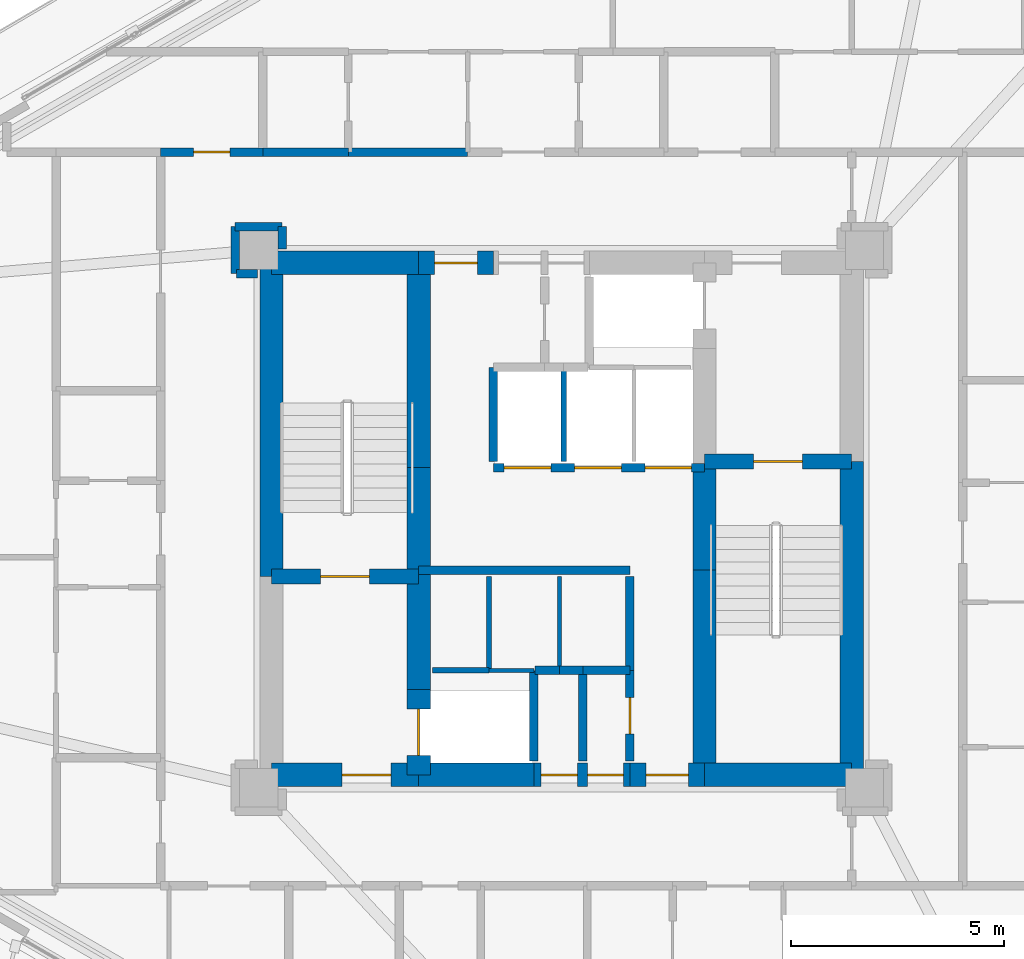
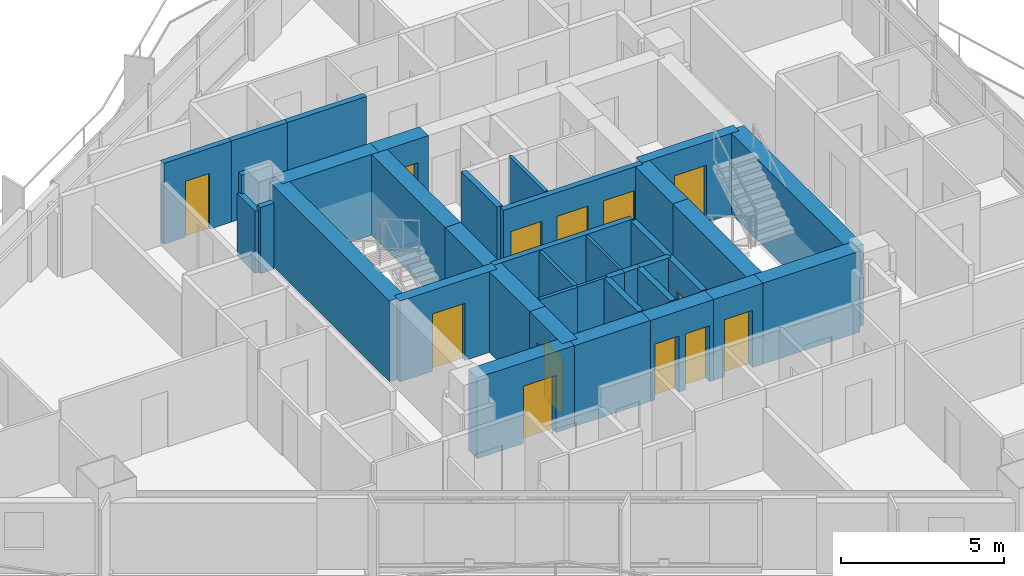
# One storey, part 14 of 19: 39 walls, 13 doors, 13 openings.
"""IFC4 building model written with IfcOpenShell, lengths in metres."""

from ifc_helpers import new_model, si_unit, direction, frame, frame_2d, origin, place, context, subcontext, project, spatial, rectangle, extrude, material, layer, layer_set, type_object, element, fill, save


model = new_model("IFC4")

# Units and contexts
model_context = context("Model", 3, precision=1e-05, world=origin(), true_north=direction((0.0, 1.0)))
body_context = subcontext(model_context, "Body", "Model", "MODEL_VIEW")
ifc_project = project(units=[si_unit("LENGTHUNIT", "METRE"), si_unit("AREAUNIT", "SQUARE_METRE"), si_unit("VOLUMEUNIT", "CUBIC_METRE"), si_unit("PLANEANGLEUNIT", "RADIAN"), si_unit("MASSUNIT", "GRAM", prefix="KILO")], contexts=[model_context])

# Site, building, storey
site_placement = place(None, origin())
site = spatial("IfcSite", under=ifc_project, at=site_placement, CompositionType="ELEMENT")
building_placement = place(site_placement, origin())
building = spatial("IfcBuilding", under=site, at=building_placement, Name="Mersakhor Tower and Convention Hall", CompositionType="ELEMENT")
storey_placement = place(building_placement, frame((0.0, 0.0, 25.800048828125)))
storey = spatial("IfcBuildingStorey", under=building, at=storey_placement, Name="L06", CompositionType="ELEMENT", Elevation=25.800048828125)

# Walls
ifc_material_1 = material(Name="Lightweight gypsum partition", Category="other")
ifc_layer_1 = layer(ifc_material_1, 0.10009765625)
ifc_layer_set_1 = layer_set([ifc_layer_1], Name="Lightweight gypsum partition")
wall_type_1 = type_object("IfcWallType", Name="WL-PRT-100", PredefinedType="PARTITIONING", material=ifc_layer_set_1)
wall_1_placement = place(storey_placement, frame((27.300048828125, 23.199951171875, 0.0), z_axis=(0.0, 0.0, 1.0), x_axis=(1.0, 0.0, 0.0)))
element("IfcWall", 1, at=wall_1_placement, inside=storey, type_object=wall_type_1, Name="L06 Interior Partition Wall P-002", PredefinedType="PARTITIONING", context=body_context, shape_type="SweptSolid", body=[
    extrude(rectangle(XDim=1.050048828125, YDim=0.10009765625, at=frame_2d((0.52490234375, 0.0))), origin(), (0.0, 0.0, 1.0), 3.0400390625),
])
wall_2_placement = place(storey_placement, frame((28.949951171875, 25.39990234375, 0.0), z_axis=(0.0, 0.0, 1.0), x_axis=(0.0, -1.0, 0.0)))
element("IfcWall", 2, at=wall_2_placement, inside=storey, type_object=wall_type_1, Name="L06 Interior Partition Wall P-008", PredefinedType="PARTITIONING", context=body_context, shape_type="SweptSolid", body=[
    extrude(rectangle(XDim=2.199951171875, YDim=0.10009765625, at=frame_2d((1.10009765625, 0.0))), origin(), (0.0, 0.0, 1.0), 3.0400390625),
])
ifc_material_2 = material(Name="Gypsum board acoustic partition", Category="other")
ifc_layer_2 = layer(ifc_material_2, 0.125)
ifc_layer_set_2 = layer_set([ifc_layer_2], Name="Gypsum board acoustic partition")
wall_type_2 = type_object("IfcWallType", Name="WL-PRT-125", PredefinedType="PARTITIONING", material=ifc_layer_set_2)
wall_3_placement = place(storey_placement, frame((25.97509765625, 23.199951171875, 0.0), z_axis=(0.0, 0.0, 1.0), x_axis=(1.0, 0.0, 0.0)))
element("IfcWall", 3, at=wall_3_placement, inside=storey, type_object=wall_type_2, Name="L06 Interior Partition Wall P-001", PredefinedType="PARTITIONING", context=body_context, shape_type="SweptSolid", body=[
    extrude(rectangle(XDim=1.324951171875, YDim=0.125, at=frame_2d((0.66259765625, 0.0))), origin(), (0.0, 0.0, 1.0), 3.0400390625),
])
for number, where, z_axis, x_axis, name in (
    (4, (27.300048828125, 25.39990234375, 0.0), (0.0, 0.0, 1.0), (0.0, -1.0, 0.0), "L06 Interior Partition Wall P-007"),
    (5, (29.050048828125, 30.300048828125, 0.0), (0.0, 0.0, 1.0), (0.0, -1.0, 0.0), "L06 Interior Partition Wall P-015"),
):
    element("IfcWall", number, at=place(storey_placement, frame(where, z_axis=z_axis, x_axis=x_axis)), inside=storey, type_object=wall_type_2, Name=name, PredefinedType="PARTITIONING", context=body_context, shape_type="SweptSolid", body=[
        extrude(rectangle(XDim=2.199951171875, YDim=0.125, at=frame_2d((1.10009765625, 0.0))), origin(), (0.0, 0.0, 1.0), 3.0400390625),
    ])
ifc_material_3 = material(Name="Acoustic concrete blockwork and gypsum board", Category="masonry")
ifc_layer_3 = layer(ifc_material_3, 0.199951171875)
ifc_layer_set_3 = layer_set([ifc_layer_3], Name="Acoustic concrete blockwork and gypsum board")
wall_type_3 = type_object("IfcWallType", Name="WL-PRT-200", PredefinedType="PARTITIONING", material=ifc_layer_set_3)
wall_4_placement = place(storey_placement, frame((25.64990234375, 25.550048828125, 0.0), z_axis=(0.0, 0.0, 1.0), x_axis=(1.0, 0.0, 0.0)))
element("IfcWall", 6, at=wall_4_placement, inside=storey, type_object=wall_type_3, Name="L06 High-Rise Lift Bank Front Wall", PredefinedType="PARTITIONING", context=body_context, shape_type="SweptSolid", body=[
    extrude(rectangle(XDim=4.9501953125, YDim=0.199951171875, at=frame_2d((2.47509765625, 0.0))), origin(), (0.0, 0.0, 1.0), 3.0400390625),
])

# Wall, openings, doors
wall_5_placement = place(storey_placement, frame((27.39990234375, 27.949951171875, 0.0), z_axis=(0.0, 0.0, 1.0), x_axis=(1.0, 0.0, 0.0)))
wall_5 = element("IfcWall", 7, at=wall_5_placement, inside=storey, type_object=wall_type_3, Name="L06 Low-Rise Lift Bank Front Wall", PredefinedType="PARTITIONING", context=body_context, shape_type="SweptSolid", body=[
    extrude(rectangle(XDim=4.9501953125, YDim=0.199951171875, at=frame_2d((2.47509765625, 0.0))), origin(), (0.0, 0.0, 1.0), 3.0400390625),
])
opening_1_placement = place(wall_5_placement, frame((0.25, 0.0, 0.0)))
opening_1 = element("IfcOpeningElement", 8, at=opening_1_placement, cuts=wall_5, Name="Opening LD-P1", PredefinedType="OPENING", context=body_context, shape_type="SweptSolid", body=[
    extrude(rectangle(XDim=1.10009765625, YDim=2.14990234375, at=frame_2d((0.550048828125, 1.074951171875))), frame((0.0, 0.10986328125, 0.0), z_axis=(0.0, -1.0, 0.0), x_axis=(1.0, 0.0, 0.0)), (0.0, 0.0, 1.0), 0.219970703125),
])
opening_2_placement = place(wall_5_placement, frame((1.89990234375, 0.0, 0.0)))
opening_2 = element("IfcOpeningElement", 9, at=opening_2_placement, cuts=wall_5, Name="Opening LD-P2", PredefinedType="OPENING", context=body_context, shape_type="SweptSolid", body=[
    extrude(rectangle(XDim=1.10009765625, YDim=2.14990234375, at=frame_2d((0.550048828125, 1.074951171875))), frame((0.0, 0.10986328125, 0.0), z_axis=(0.0, -1.0, 0.0), x_axis=(1.0, 0.0, 0.0)), (0.0, 0.0, 1.0), 0.219970703125),
])
opening_3_placement = place(wall_5_placement, frame((3.550048828125, 0.0, 0.0)))
opening_3 = element("IfcOpeningElement", 10, at=opening_3_placement, cuts=wall_5, Name="Opening LD-P3", PredefinedType="OPENING", context=body_context, shape_type="SweptSolid", body=[
    extrude(rectangle(XDim=1.10009765625, YDim=2.14990234375, at=frame_2d((0.550048828125, 1.074951171875))), frame((0.0, 0.10986328125, 0.0), z_axis=(0.0, -1.0, 0.0), x_axis=(1.0, 0.0, 0.0)), (0.0, 0.0, 1.0), 0.219970703125),
])
ifc_material_4 = material(Name="Fire-rated brushed stainless steel sliding landing door", Category="steel")
door_type_1 = type_object("IfcDoorType", Name="DR-LIFT-SLD-110x215", OperationType="NOTDEFINED", PredefinedType="DOOR", material=ifc_material_4)
door_1_placement = place(opening_1_placement, origin())
door_1 = element("IfcDoor", 11, at=door_1_placement, inside=storey, type_object=door_type_1, Name="L06 Lift Landing Door LD-P1", OperationType="SLIDING_TO_LEFT", OverallHeight=2.14990234375, OverallWidth=1.10009765625, PredefinedType="DOOR", context=body_context, shape_type="SweptSolid", body=[
    extrude(rectangle(XDim=1.10009765625, YDim=2.14990234375, at=frame_2d((0.550048828125, 1.074951171875))), frame((0.0, 0.02490234375, 0.0), z_axis=(0.0, -1.0, 0.0), x_axis=(1.0, 0.0, 0.0)), (0.0, 0.0, 1.0), 0.050048828125),
])
fill(opening_1, door_1)
door_2_placement = place(opening_2_placement, origin())
door_2 = element("IfcDoor", 12, at=door_2_placement, inside=storey, type_object=door_type_1, Name="L06 Lift Landing Door LD-P2", OperationType="SLIDING_TO_LEFT", OverallHeight=2.14990234375, OverallWidth=1.10009765625, PredefinedType="DOOR", context=body_context, shape_type="SweptSolid", body=[
    extrude(rectangle(XDim=1.10009765625, YDim=2.14990234375, at=frame_2d((0.550048828125, 1.074951171875))), frame((0.0, 0.02490234375, 0.0), z_axis=(0.0, -1.0, 0.0), x_axis=(1.0, 0.0, 0.0)), (0.0, 0.0, 1.0), 0.050048828125),
])
fill(opening_2, door_2)
door_3_placement = place(opening_3_placement, origin())
door_3 = element("IfcDoor", 13, at=door_3_placement, inside=storey, type_object=door_type_1, Name="L06 Lift Landing Door LD-P3", OperationType="SLIDING_TO_LEFT", OverallHeight=2.14990234375, OverallWidth=1.10009765625, PredefinedType="DOOR", context=body_context, shape_type="SweptSolid", body=[
    extrude(rectangle(XDim=1.10009765625, YDim=2.14990234375, at=frame_2d((0.550048828125, 1.074951171875))), frame((0.0, 0.02490234375, 0.0), z_axis=(0.0, -1.0, 0.0), x_axis=(1.0, 0.0, 0.0)), (0.0, 0.0, 1.0), 0.050048828125),
])
fill(opening_3, door_3)

# Walls
wall_6_placement = place(storey_placement, frame((28.35009765625, 23.199951171875, 0.0), z_axis=(0.0, 0.0, 1.0), x_axis=(0.0, -1.0, 0.0)))
element("IfcWall", 14, at=wall_6_placement, inside=storey, type_object=wall_type_3, Name="L06 Interior Partition Wall P-003", PredefinedType="PARTITIONING", context=body_context, shape_type="SweptSolid", body=[
    extrude(rectangle(XDim=2.125, YDim=0.199951171875, at=frame_2d((1.0625, 0.0))), origin(), (0.0, 0.0, 1.0), 3.0400390625),
])
wall_7_placement = place(storey_placement, frame((28.949951171875, 23.199951171875, 0.0), z_axis=(0.0, 0.0, 1.0), x_axis=(-1.0, 0.0, 0.0)))
element("IfcWall", 15, at=wall_7_placement, inside=storey, type_object=wall_type_3, Name="L06 Interior Partition Wall P-009", PredefinedType="PARTITIONING", context=body_context, shape_type="SweptSolid", body=[
    extrude(rectangle(XDim=0.570068359375, YDim=0.199951171875, at=frame_2d((0.28515625, 0.0))), origin(), (0.0, 0.0, 1.0), 3.0400390625),
])
wall_8_placement = place(storey_placement, frame((30.60009765625, 25.39990234375, 0.0), z_axis=(0.0, 0.0, 1.0), x_axis=(0.0, -1.0, 0.0)))
element("IfcWall", 16, at=wall_8_placement, inside=storey, type_object=wall_type_3, Name="L06 Interior Partition Wall P-010", PredefinedType="PARTITIONING", context=body_context, shape_type="SweptSolid", body=[
    extrude(rectangle(XDim=2.199951171875, YDim=0.199951171875, at=frame_2d((1.10009765625, 0.0))), origin(), (0.0, 0.0, 1.0), 3.0400390625),
])
wall_9_placement = place(storey_placement, frame((30.60009765625, 23.199951171875, 0.0), z_axis=(0.0, 0.0, 1.0), x_axis=(-1.0, 0.0, 0.0)))
element("IfcWall", 17, at=wall_9_placement, inside=storey, type_object=wall_type_3, Name="L06 Interior Partition Wall P-011", PredefinedType="PARTITIONING", context=body_context, shape_type="SweptSolid", body=[
    extrude(rectangle(XDim=1.10009765625, YDim=0.199951171875, at=frame_2d((0.550048828125, 0.0))), origin(), (0.0, 0.0, 1.0), 3.0400390625),
])
wall_10_placement = place(storey_placement, frame((29.5, 23.199951171875, 0.0), z_axis=(0.0, 0.0, 1.0), x_axis=(-1.0, 0.0, 0.0)))
element("IfcWall", 18, at=wall_10_placement, inside=storey, type_object=wall_type_3, Name="L06 Interior Partition Wall P-012", PredefinedType="PARTITIONING", context=body_context, shape_type="SweptSolid", body=[
    extrude(rectangle(XDim=0.550048828125, YDim=0.199951171875, at=frame_2d((0.27490234375, 0.0))), origin(), (0.0, 0.0, 1.0), 3.0400390625),
])
wall_11_placement = place(storey_placement, frame((27.39990234375, 28.10009765625, 0.0), z_axis=(0.0, 0.0, 1.0), x_axis=(0.0, 1.0, 0.0)))
element("IfcWall", 19, at=wall_11_placement, inside=storey, type_object=wall_type_3, Name="L06 Interior Partition Wall P-016", PredefinedType="PARTITIONING", context=body_context, shape_type="SweptSolid", body=[
    extrude(rectangle(XDim=2.199951171875, YDim=0.199951171875, at=frame_2d((1.10009765625, 0.0))), origin(), (0.0, 0.0, 1.0), 3.0400390625),
])

# Wall, opening, door
wall_12_placement = place(storey_placement, frame((30.60009765625, 21.074951171875, 0.0), z_axis=(0.0, 0.0, 1.0), x_axis=(0.0, 1.0, 0.0)))
wall_12 = element("IfcWall", 20, at=wall_12_placement, inside=storey, type_object=wall_type_3, Name="L06 Interior Partition Wall P-019", PredefinedType="PARTITIONING", context=body_context, shape_type="SweptSolid", body=[
    extrude(rectangle(XDim=2.125, YDim=0.199951171875, at=frame_2d((1.0625, 0.0))), origin(), (0.0, 0.0, 1.0), 3.0400390625),
])
opening_4_placement = place(wall_12_placement, frame((0.637451171875, 0.0, 0.0)))
opening_4 = element("IfcOpeningElement", 21, at=opening_4_placement, cuts=wall_12, Name="Opening SVD-01", PredefinedType="OPENING", context=body_context, shape_type="SweptSolid", body=[
    extrude(rectangle(XDim=0.85009765625, YDim=2.10009765625, at=frame_2d((0.425048828125, 1.050048828125))), frame((0.0, 0.10986328125, 0.0), z_axis=(0.0, -1.0, 0.0), x_axis=(1.0, 0.0, 0.0)), (0.0, 0.0, 1.0), 0.219970703125),
])
ifc_material_5 = material(Name="Fire-rated hardwood leaf and painted steel frame", Category="steel")
door_type_2 = type_object("IfcDoorType", Name="DR-INT-SVC-085x210", OperationType="NOTDEFINED", PredefinedType="DOOR", material=ifc_material_5)
door_4_placement = place(opening_4_placement, origin())
door_4 = element("IfcDoor", 22, at=door_4_placement, inside=storey, type_object=door_type_2, Name="L06 Central Passenger Lift Lobby to Refuse and Recycling Room Door", OperationType="SINGLE_SWING_LEFT", OverallHeight=2.10009765625, OverallWidth=0.85009765625, PredefinedType="DOOR", context=body_context, shape_type="SweptSolid", body=[
    extrude(rectangle(XDim=0.85009765625, YDim=2.10009765625, at=frame_2d((0.425048828125, 1.050048828125))), frame((0.0, 0.02490234375, 0.0), z_axis=(0.0, -1.0, 0.0), x_axis=(1.0, 0.0, 0.0)), (0.0, 0.0, 1.0), 0.050048828125),
])
fill(opening_4, door_4)

wall_13_placement = place(storey_placement, frame((19.60009765625, 35.35009765625, 0.0), z_axis=(0.0, 0.0, 1.0), x_axis=(1.0, 0.0, 0.0)))
wall_13 = element("IfcWall", 23, at=wall_13_placement, inside=storey, type_object=wall_type_3, Name="L06 Interior Partition Wall P-039", PredefinedType="PARTITIONING", context=body_context, shape_type="SweptSolid", body=[
    extrude(rectangle(XDim=2.39990234375, YDim=0.199951171875, at=frame_2d((1.199951171875, 0.0))), origin(), (0.0, 0.0, 1.0), 3.0400390625),
])
opening_5_placement = place(wall_13_placement, frame((0.77490234375, 0.0, 0.0)))
opening_5 = element("IfcOpeningElement", 24, at=opening_5_placement, cuts=wall_13, Name="Opening SVD-01", PredefinedType="OPENING", context=body_context, shape_type="SweptSolid", body=[
    extrude(rectangle(XDim=0.85009765625, YDim=2.10009765625, at=frame_2d((0.425048828125, 1.050048828125))), frame((0.0, 0.10986328125, 0.0), z_axis=(0.0, -1.0, 0.0), x_axis=(1.0, 0.0, 0.0)), (0.0, 0.0, 1.0), 0.219970703125),
])
door_5_placement = place(opening_5_placement, origin())
door_5 = element("IfcDoor", 25, at=door_5_placement, inside=storey, type_object=door_type_2, Name="L06 Residential Ring Corridor to L06 North-West Household Store Room Door", OperationType="SINGLE_SWING_LEFT", OverallHeight=2.10009765625, OverallWidth=0.85009765625, PredefinedType="DOOR", context=body_context, shape_type="SweptSolid", body=[
    extrude(rectangle(XDim=0.85009765625, YDim=2.10009765625, at=frame_2d((0.425048828125, 1.050048828125))), frame((0.0, 0.02490234375, 0.0), z_axis=(0.0, -1.0, 0.0), x_axis=(1.0, 0.0, 0.0)), (0.0, 0.0, 1.0), 0.050048828125),
])
fill(opening_5, door_5)

# Walls
wall_14_placement = place(storey_placement, frame((22.0, 35.35009765625, 0.0), z_axis=(0.0, 0.0, 1.0), x_axis=(1.0, 0.0, 0.0)))
element("IfcWall", 26, at=wall_14_placement, inside=storey, type_object=wall_type_3, Name="L06 Interior Partition Wall P-040", PredefinedType="PARTITIONING", context=body_context, shape_type="SweptSolid", body=[
    extrude(rectangle(XDim=2.0, YDim=0.199951171875, at=frame_2d((1.0, 0.0))), origin(), (0.0, 0.0, 1.0), 3.0400390625),
])
wall_15_placement = place(storey_placement, frame((24.0, 35.35009765625, 0.0), z_axis=(0.0, 0.0, 1.0), x_axis=(1.0, 0.0, 0.0)))
element("IfcWall", 27, at=wall_15_placement, inside=storey, type_object=wall_type_3, Name="L06 Interior Partition Wall P-041", PredefinedType="PARTITIONING", context=body_context, shape_type="SweptSolid", body=[
    extrude(rectangle(XDim=2.800048828125, YDim=0.199951171875, at=frame_2d((1.39990234375, 0.0))), origin(), (0.0, 0.0, 1.0), 3.0400390625),
])
wall_16_placement = place(storey_placement, frame((22.449951171875, 33.074951171875, 0.0), z_axis=(0.0, 0.0, 1.0), x_axis=(0.0, 1.0, 0.0)))
element("IfcWall", 28, at=wall_16_placement, inside=storey, type_object=wall_type_3, Name="L06 Interior Partition Wall P-049", PredefinedType="PARTITIONING", context=body_context, shape_type="SweptSolid", body=[
    extrude(rectangle(XDim=0.525146484375, YDim=0.199951171875, at=frame_2d((0.2626953125, 0.0))), origin(), (0.0, 0.0, 1.0), 2.48828125),
])
wall_17_placement = place(storey_placement, frame((22.449951171875, 33.60009765625, 0.0), z_axis=(0.0, 0.0, 1.0), x_axis=(-1.0, 0.0, 0.0)))
element("IfcWall", 29, at=wall_17_placement, inside=storey, type_object=wall_type_3, Name="L06 Interior Partition Wall P-050", PredefinedType="PARTITIONING", context=body_context, shape_type="SweptSolid", body=[
    extrude(rectangle(XDim=1.099853515625, YDim=0.199951171875, at=frame_2d((0.5498046875, 0.0))), origin(), (0.0, 0.0, 1.0), 3.0400390625),
])
wall_18_placement = place(storey_placement, frame((21.35009765625, 33.60009765625, 0.0), z_axis=(0.0, 0.0, 1.0), x_axis=(0.0, -1.0, 0.0)))
element("IfcWall", 30, at=wall_18_placement, inside=storey, type_object=wall_type_3, Name="L06 Interior Partition Wall P-051", PredefinedType="PARTITIONING", context=body_context, shape_type="SweptSolid", body=[
    extrude(rectangle(XDim=1.10009765625, YDim=0.199951171875, at=frame_2d((0.550048828125, 0.0))), origin(), (0.0, 0.0, 1.0), 2.33740234375),
])
wall_19_placement = place(storey_placement, frame((21.3798828125, 32.5, 0.0), z_axis=(0.0, 0.0, 1.0), x_axis=(1.0, 0.0, 0.0)))
element("IfcWall", 31, at=wall_19_placement, inside=storey, type_object=wall_type_3, Name="L06 Interior Partition Wall P-052", PredefinedType="PARTITIONING", context=body_context, shape_type="SweptSolid", body=[
    extrude(rectangle(XDim=0.4951171875, YDim=0.199951171875, at=frame_2d((0.24755859375, 0.0))), origin(), (0.0, 0.0, 1.0), 2.48828125),
])
wall_20_placement = place(storey_placement, frame((29.5, 23.199951171875, 0.0), z_axis=(0.0, 0.0, 1.0), x_axis=(0.0, -1.0, 0.0)))
element("IfcWall", 32, at=wall_20_placement, inside=storey, type_object=wall_type_3, Name="L06 Interior Partition Wall P-105", PredefinedType="PARTITIONING", context=body_context, shape_type="SweptSolid", body=[
    extrude(rectangle(XDim=2.125, YDim=0.199951171875, at=frame_2d((1.0625, 0.0))), origin(), (0.0, 0.0, 1.0), 3.0400390625),
])

# Wall, opening, door
ifc_material_6 = material(Name="Concrete C50/60", Category="concrete")
ifc_layer_4 = layer(ifc_material_6, 0.35009765625)
ifc_layer_set_4 = layer_set([ifc_layer_4], Name="Concrete C50/60")
wall_type_4 = type_object("IfcWallType", Name="WL-SHR-350", PredefinedType="SHEAR", material=ifc_layer_set_4)
wall_21_placement = place(storey_placement, frame((22.199951171875, 25.39990234375, 0.0), z_axis=(0.0, 0.0, 1.0), x_axis=(1.0, 0.0, 0.0)))
wall_21 = element("IfcWall", 33, at=wall_21_placement, inside=storey, type_object=wall_type_4, Name="L06 Core Wall CS-ST1-S", PredefinedType="SHEAR", context=body_context, shape_type="SweptSolid", body=[
    extrude(rectangle(XDim=3.449951171875, YDim=0.35009765625, at=frame_2d((1.72509765625, 0.0))), origin(), (0.0, 0.0, 1.0), 3.0400390625),
])
opening_6_placement = place(wall_21_placement, frame((1.14990234375, 0.0, 0.0)))
opening_6 = element("IfcOpeningElement", 34, at=opening_6_placement, cuts=wall_21, Name="Opening SD-01", PredefinedType="OPENING", context=body_context, shape_type="SweptSolid", body=[
    extrude(rectangle(XDim=1.14990234375, YDim=2.14990234375, at=frame_2d((0.574951171875, 1.074951171875))), frame((0.0, 0.18505859375, 0.0), z_axis=(0.0, -1.0, 0.0), x_axis=(1.0, 0.0, 0.0)), (0.0, 0.0, 1.0), 0.3701171875),
])
ifc_material_7 = material(Name="Fire-rated hardwood leaf and painted steel frame", Category="steel")
door_type_3 = type_object("IfcDoorType", Name="DR-INT-STAIR-115x215", OperationType="NOTDEFINED", PredefinedType="DOOR", material=ifc_material_7)
door_6_placement = place(opening_6_placement, origin())
door_6 = element("IfcDoor", 35, at=door_6_placement, inside=storey, type_object=door_type_3, Name="L06 Exit Stair ST-1 Enclosure Door", OperationType="SINGLE_SWING_LEFT", OverallHeight=2.14990234375, OverallWidth=1.14990234375, PredefinedType="DOOR", context=body_context, shape_type="SweptSolid", body=[
    extrude(rectangle(XDim=1.14990234375, YDim=2.14990234375, at=frame_2d((0.574951171875, 1.074951171875))), frame((0.0, 0.02490234375, 0.0), z_axis=(0.0, -1.0, 0.0), x_axis=(1.0, 0.0, 0.0)), (0.0, 0.0, 1.0), 0.050048828125),
])
fill(opening_6, door_6)

wall_22_placement = place(storey_placement, frame((32.35009765625, 28.10009765625, 0.0), z_axis=(0.0, 0.0, 1.0), x_axis=(1.0, 0.0, 0.0)))
wall_22 = element("IfcWall", 36, at=wall_22_placement, inside=storey, type_object=wall_type_4, Name="L06 Core Wall CS-ST2-N", PredefinedType="SHEAR", context=body_context, shape_type="SweptSolid", body=[
    extrude(rectangle(XDim=3.449951171875, YDim=0.35009765625, at=frame_2d((1.72509765625, 0.0))), origin(), (0.0, 0.0, 1.0), 3.0400390625),
])
opening_7_placement = place(wall_22_placement, frame((1.14990234375, 0.0, 0.0)))
opening_7 = element("IfcOpeningElement", 37, at=opening_7_placement, cuts=wall_22, Name="Opening SD-01", PredefinedType="OPENING", context=body_context, shape_type="SweptSolid", body=[
    extrude(rectangle(XDim=1.14990234375, YDim=2.14990234375, at=frame_2d((0.574951171875, 1.074951171875))), frame((0.0, 0.18505859375, 0.0), z_axis=(0.0, -1.0, 0.0), x_axis=(1.0, 0.0, 0.0)), (0.0, 0.0, 1.0), 0.3701171875),
])
door_7_placement = place(opening_7_placement, origin())
door_7 = element("IfcDoor", 38, at=door_7_placement, inside=storey, type_object=door_type_3, Name="L06 Exit Stair ST-2 Enclosure Door", OperationType="SINGLE_SWING_RIGHT", OverallHeight=2.14990234375, OverallWidth=1.14990234375, PredefinedType="DOOR", context=body_context, shape_type="SweptSolid", body=[
    extrude(rectangle(XDim=1.14990234375, YDim=2.14990234375, at=frame_2d((0.574951171875, 1.074951171875))), frame((0.0, 0.02490234375, 0.0), z_axis=(0.0, -1.0, 0.0), x_axis=(1.0, 0.0, 0.0)), (0.0, 0.0, 1.0), 0.050048828125),
])
fill(opening_7, door_7)

# Walls
ifc_material_8 = material(Name="Concrete C70/85", Category="concrete")
ifc_layer_5 = layer(ifc_material_8, 0.550048828125)
ifc_layer_set_5 = layer_set([ifc_layer_5], Name="Concrete C70/85")
wall_type_5 = type_object("IfcWallType", Name="WL-SHR-550", PredefinedType="SHEAR", material=ifc_layer_set_5)
wall_23_placement = place(storey_placement, frame((22.199951171875, 25.39990234375, 0.0), z_axis=(0.0, 0.0, 1.0), x_axis=(0.0, 1.0, 0.0)))
element("IfcWall", 39, at=wall_23_placement, inside=storey, type_object=wall_type_5, Name="L06 Core Wall CW-W2", PredefinedType="SHEAR", context=body_context, shape_type="SweptSolid", body=[
    extrude(rectangle(XDim=7.35009765625, YDim=0.550048828125, at=frame_2d((3.675048828125, 0.0))), origin(), (0.0, 0.0, 1.0), 3.0400390625),
])
wall_24_placement = place(storey_placement, frame((22.199951171875, 32.75, 0.0), z_axis=(0.0, 0.0, 1.0), x_axis=(1.0, 0.0, 0.0)))
element("IfcWall", 40, at=wall_24_placement, inside=storey, type_object=wall_type_5, Name="L06 Core Wall CW-N1", PredefinedType="SHEAR", context=body_context, shape_type="SweptSolid", body=[
    extrude(rectangle(XDim=3.449951171875, YDim=0.550048828125, at=frame_2d((1.72509765625, 0.0))), origin(), (0.0, 0.0, 1.0), 3.0400390625),
])

# Wall, opening, door
wall_25_placement = place(storey_placement, frame((25.64990234375, 32.75, 0.0), z_axis=(0.0, 0.0, 1.0), x_axis=(1.0, 0.0, 0.0)))
wall_25 = element("IfcWall", 41, at=wall_25_placement, inside=storey, type_object=wall_type_5, Name="L06 Core Wall CW-N2A", PredefinedType="SHEAR", context=body_context, shape_type="SweptSolid", body=[
    extrude(rectangle(XDim=1.75, YDim=0.550048828125, at=frame_2d((0.875, 0.0))), origin(), (0.0, 0.0, 1.0), 3.0400390625),
])
opening_8_placement = place(wall_25_placement, frame((0.375, 0.0, 0.0)))
opening_8 = element("IfcOpeningElement", 42, at=opening_8_placement, cuts=wall_25, Name="Opening CFD-01", PredefinedType="OPENING", context=body_context, shape_type="SweptSolid", body=[
    extrude(rectangle(XDim=1.0, YDim=2.14990234375, at=frame_2d((0.5, 1.074951171875))), frame((0.0, 0.284912109375, 0.0), z_axis=(0.0, -1.0, 0.0), x_axis=(1.0, 0.0, 0.0)), (0.0, 0.0, 1.0), 0.570068359375),
])
ifc_material_9 = material(Name="Fire-rated hardwood leaf and painted steel frame", Category="steel")
door_type_4 = type_object("IfcDoorType", Name="DR-CORE-FD-100x215", OperationType="NOTDEFINED", PredefinedType="DOOR", material=ifc_material_9)
door_8_placement = place(opening_8_placement, origin())
door_8 = element("IfcDoor", 43, at=door_8_placement, inside=storey, type_object=door_type_4, Name="L06 Lift Lobby North Corridor Door", OperationType="SINGLE_SWING_LEFT", OverallHeight=2.14990234375, OverallWidth=1.0, PredefinedType="DOOR", context=body_context, shape_type="SweptSolid", body=[
    extrude(rectangle(XDim=1.0, YDim=2.14990234375, at=frame_2d((0.5, 1.074951171875))), frame((0.0, 0.02490234375, 0.0), z_axis=(0.0, -1.0, 0.0), x_axis=(1.0, 0.0, 0.0)), (0.0, 0.0, 1.0), 0.050048828125),
])
fill(opening_8, door_8)

# Walls
wall_26_placement = place(storey_placement, frame((35.800048828125, 28.10009765625, 0.0), z_axis=(0.0, 0.0, 1.0), x_axis=(0.0, -1.0, 0.0)))
element("IfcWall", 44, at=wall_26_placement, inside=storey, type_object=wall_type_5, Name="L06 Core Wall CW-E2", PredefinedType="SHEAR", context=body_context, shape_type="SweptSolid", body=[
    extrude(rectangle(XDim=7.35009765625, YDim=0.550048828125, at=frame_2d((3.675048828125, 0.0))), origin(), (0.0, 0.0, 1.0), 3.0400390625),
])
wall_27_placement = place(storey_placement, frame((35.800048828125, 20.75, 0.0), z_axis=(0.0, 0.0, 1.0), x_axis=(-1.0, 0.0, 0.0)))
element("IfcWall", 45, at=wall_27_placement, inside=storey, type_object=wall_type_5, Name="L06 Core Wall CW-S1", PredefinedType="SHEAR", context=body_context, shape_type="SweptSolid", body=[
    extrude(rectangle(XDim=3.449951171875, YDim=0.550048828125, at=frame_2d((1.72509765625, 0.0))), origin(), (0.0, 0.0, 1.0), 3.0400390625),
])

# Wall, opening, door
wall_28_placement = place(storey_placement, frame((32.35009765625, 20.75, 0.0), z_axis=(0.0, 0.0, 1.0), x_axis=(-1.0, 0.0, 0.0)))
wall_28 = element("IfcWall", 46, at=wall_28_placement, inside=storey, type_object=wall_type_5, Name="L06 Core Wall CW-S2A", PredefinedType="SHEAR", context=body_context, shape_type="SweptSolid", body=[
    extrude(rectangle(XDim=1.75, YDim=0.550048828125, at=frame_2d((0.875, 0.0))), origin(), (0.0, 0.0, 1.0), 3.0400390625),
])
opening_9_placement = place(wall_28_placement, frame((0.375, 0.0, 0.0)))
opening_9 = element("IfcOpeningElement", 47, at=opening_9_placement, cuts=wall_28, Name="Opening CFD-01", PredefinedType="OPENING", context=body_context, shape_type="SweptSolid", body=[
    extrude(rectangle(XDim=1.0, YDim=2.14990234375, at=frame_2d((0.5, 1.074951171875))), frame((0.0, 0.284912109375, 0.0), z_axis=(0.0, -1.0, 0.0), x_axis=(1.0, 0.0, 0.0)), (0.0, 0.0, 1.0), 0.570068359375),
])
door_9_placement = place(opening_9_placement, origin())
door_9 = element("IfcDoor", 48, at=door_9_placement, inside=storey, type_object=door_type_4, Name="L06 Lift Lobby South Corridor Door", OperationType="SINGLE_SWING_RIGHT", OverallHeight=2.14990234375, OverallWidth=1.0, PredefinedType="DOOR", context=body_context, shape_type="SweptSolid", body=[
    extrude(rectangle(XDim=1.0, YDim=2.14990234375, at=frame_2d((0.5, 1.074951171875))), frame((0.0, 0.02490234375, 0.0), z_axis=(0.0, -1.0, 0.0), x_axis=(1.0, 0.0, 0.0)), (0.0, 0.0, 1.0), 0.050048828125),
])
fill(opening_9, door_9)

# Wall, openings, doors
wall_29_placement = place(storey_placement, frame((30.60009765625, 20.75, 0.0), z_axis=(0.0, 0.0, 1.0), x_axis=(-1.0, 0.0, 0.0)))
wall_29 = element("IfcWall", 49, at=wall_29_placement, inside=storey, type_object=wall_type_5, Name="L06 Core Wall CW-S2B", PredefinedType="SHEAR", context=body_context, shape_type="SweptSolid", body=[
    extrude(rectangle(XDim=2.25, YDim=0.550048828125, at=frame_2d((1.125, 0.0))), origin(), (0.0, 0.0, 1.0), 3.0400390625),
])
opening_10_placement = place(wall_29_placement, frame((1.22998046875, 0.0, 0.0)))
opening_10 = element("IfcOpeningElement", 50, at=opening_10_placement, cuts=wall_29, Name="Opening SVD-01", PredefinedType="OPENING", context=body_context, shape_type="SweptSolid", body=[
    extrude(rectangle(XDim=0.85009765625, YDim=2.10009765625, at=frame_2d((0.425048828125, 1.050048828125))), frame((0.0, 0.284912109375, 0.0), z_axis=(0.0, -1.0, 0.0), x_axis=(1.0, 0.0, 0.0)), (0.0, 0.0, 1.0), 0.570068359375),
])
opening_11_placement = place(wall_29_placement, frame((0.14501953125, 0.0, 0.0)))
opening_11 = element("IfcOpeningElement", 51, at=opening_11_placement, cuts=wall_29, Name="Opening SVD-01", PredefinedType="OPENING", context=body_context, shape_type="SweptSolid", body=[
    extrude(rectangle(XDim=0.85009765625, YDim=2.10009765625, at=frame_2d((0.425048828125, 1.050048828125))), frame((0.0, 0.284912109375, 0.0), z_axis=(0.0, -1.0, 0.0), x_axis=(1.0, 0.0, 0.0)), (0.0, 0.0, 1.0), 0.570068359375),
])
door_10_placement = place(opening_10_placement, origin())
door_10 = element("IfcDoor", 52, at=door_10_placement, inside=storey, type_object=door_type_2, Name="L06 Residential Ring Corridor to Mechanical Valve Plant Room Door", OperationType="SINGLE_SWING_LEFT", OverallHeight=2.10009765625, OverallWidth=0.85009765625, PredefinedType="DOOR", context=body_context, shape_type="SweptSolid", body=[
    extrude(rectangle(XDim=0.85009765625, YDim=2.10009765625, at=frame_2d((0.425048828125, 1.050048828125))), frame((0.0, 0.02490234375, 0.0), z_axis=(0.0, -1.0, 0.0), x_axis=(1.0, 0.0, 0.0)), (0.0, 0.0, 1.0), 0.050048828125),
])
fill(opening_10, door_10)
door_11_placement = place(opening_11_placement, origin())
door_11 = element("IfcDoor", 53, at=door_11_placement, inside=storey, type_object=door_type_2, Name="L06 Residential Ring Corridor to Refuse and Recycling Room Door", OperationType="SINGLE_SWING_RIGHT", OverallHeight=2.10009765625, OverallWidth=0.85009765625, PredefinedType="DOOR", context=body_context, shape_type="SweptSolid", body=[
    extrude(rectangle(XDim=0.85009765625, YDim=2.10009765625, at=frame_2d((0.425048828125, 1.050048828125))), frame((0.0, 0.02490234375, 0.0), z_axis=(0.0, -1.0, 0.0), x_axis=(1.0, 0.0, 0.0)), (0.0, 0.0, 1.0), 0.050048828125),
])
fill(opening_11, door_11)

# Wall
wall_30_placement = place(storey_placement, frame((28.35009765625, 20.75, 0.0), z_axis=(0.0, 0.0, 1.0), x_axis=(-1.0, 0.0, 0.0)))
element("IfcWall", 54, at=wall_30_placement, inside=storey, type_object=wall_type_5, Name="L06 Core Wall CW-S3", PredefinedType="SHEAR", context=body_context, shape_type="SweptSolid", body=[
    extrude(rectangle(XDim=2.7001953125, YDim=0.550048828125, at=frame_2d((1.35009765625, 0.0))), origin(), (0.0, 0.0, 1.0), 3.0400390625),
])

# Wall, opening, door
wall_31_placement = place(storey_placement, frame((25.64990234375, 20.75, 0.0), z_axis=(0.0, 0.0, 1.0), x_axis=(-1.0, 0.0, 0.0)))
wall_31 = element("IfcWall", 55, at=wall_31_placement, inside=storey, type_object=wall_type_5, Name="L06 Core Wall CW-S4", PredefinedType="SHEAR", context=body_context, shape_type="SweptSolid", body=[
    extrude(rectangle(XDim=3.449951171875, YDim=0.550048828125, at=frame_2d((1.72509765625, 0.0))), origin(), (0.0, 0.0, 1.0), 3.0400390625),
])
opening_12_placement = place(wall_31_placement, frame((0.64990234375, 0.0, 0.0)))
opening_12 = element("IfcOpeningElement", 56, at=opening_12_placement, cuts=wall_31, Name="Opening SD-01", PredefinedType="OPENING", context=body_context, shape_type="SweptSolid", body=[
    extrude(rectangle(XDim=1.14990234375, YDim=2.14990234375, at=frame_2d((0.574951171875, 1.074951171875))), frame((0.0, 0.284912109375, 0.0), z_axis=(0.0, -1.0, 0.0), x_axis=(1.0, 0.0, 0.0)), (0.0, 0.0, 1.0), 0.570068359375),
])
door_12_placement = place(opening_12_placement, origin())
door_12 = element("IfcDoor", 57, at=door_12_placement, inside=storey, type_object=door_type_3, Name="L06 Firefighting Lobby West Fire Door", OperationType="SINGLE_SWING_LEFT", OverallHeight=2.14990234375, OverallWidth=1.14990234375, PredefinedType="DOOR", context=body_context, shape_type="SweptSolid", body=[
    extrude(rectangle(XDim=1.14990234375, YDim=2.14990234375, at=frame_2d((0.574951171875, 1.074951171875))), frame((0.0, 0.02490234375, 0.0), z_axis=(0.0, -1.0, 0.0), x_axis=(1.0, 0.0, 0.0)), (0.0, 0.0, 1.0), 0.050048828125),
])
fill(opening_12, door_12)

wall_32_placement = place(storey_placement, frame((25.64990234375, 20.75, 0.0), z_axis=(0.0, 0.0, 1.0), x_axis=(0.0, 1.0, 0.0)))
wall_32 = element("IfcWall", 58, at=wall_32_placement, inside=storey, type_object=wall_type_5, Name="L06 Core Wall CS-W-FFL", PredefinedType="SHEAR", context=body_context, shape_type="SweptSolid", body=[
    extrude(rectangle(XDim=2.0, YDim=0.550048828125, at=frame_2d((1.0, 0.0))), origin(), (0.0, 0.0, 1.0), 3.0400390625),
])
opening_13_placement = place(wall_32_placement, frame((0.449951171875, 0.0, 0.0)))
opening_13 = element("IfcOpeningElement", 59, at=opening_13_placement, cuts=wall_32, Name="Opening LD-FFL1", PredefinedType="OPENING", context=body_context, shape_type="SweptSolid", body=[
    extrude(rectangle(XDim=1.10009765625, YDim=2.14990234375, at=frame_2d((0.550048828125, 1.074951171875))), frame((0.0, 0.284912109375, 0.0), z_axis=(0.0, -1.0, 0.0), x_axis=(1.0, 0.0, 0.0)), (0.0, 0.0, 1.0), 0.570068359375),
])
door_13_placement = place(opening_13_placement, origin())
door_13 = element("IfcDoor", 60, at=door_13_placement, inside=storey, type_object=door_type_1, Name="L06 Firefighting Lift Landing Door LD-FFL1", OperationType="SLIDING_TO_LEFT", OverallHeight=2.14990234375, OverallWidth=1.10009765625, PredefinedType="DOOR", context=body_context, shape_type="SweptSolid", body=[
    extrude(rectangle(XDim=1.10009765625, YDim=2.14990234375, at=frame_2d((0.550048828125, 1.074951171875))), frame((0.0, 0.02490234375, 0.0), z_axis=(0.0, -1.0, 0.0), x_axis=(1.0, 0.0, 0.0)), (0.0, 0.0, 1.0), 0.050048828125),
])
fill(opening_13, door_13)

# Walls
wall_33_placement = place(storey_placement, frame((25.64990234375, 22.75, 0.0), z_axis=(0.0, 0.0, 1.0), x_axis=(0.0, 1.0, 0.0)))
element("IfcWall", 61, at=wall_33_placement, inside=storey, type_object=wall_type_5, Name="L06 Core Wall CS-W-MID", PredefinedType="SHEAR", context=body_context, shape_type="SweptSolid", body=[
    extrude(rectangle(XDim=2.800048828125, YDim=0.550048828125, at=frame_2d((1.39990234375, 0.0))), origin(), (0.0, 0.0, 1.0), 3.0400390625),
])
wall_34_placement = place(storey_placement, frame((25.64990234375, 25.550048828125, 0.0), z_axis=(0.0, 0.0, 1.0), x_axis=(0.0, 1.0, 0.0)))
element("IfcWall", 62, at=wall_34_placement, inside=storey, type_object=wall_type_5, Name="L06 Core Wall CS-W-LOB", PredefinedType="SHEAR", context=body_context, shape_type="SweptSolid", body=[
    extrude(rectangle(XDim=2.39990234375, YDim=0.550048828125, at=frame_2d((1.199951171875, 0.0))), origin(), (0.0, 0.0, 1.0), 3.0400390625),
])
for number, where, z_axis, x_axis, name in (
    (63, (25.64990234375, 27.949951171875, 0.0), (0.0, 0.0, 1.0), (0.0, 1.0, 0.0), "L06 Core Wall CS-W-ST1"),
    (64, (32.35009765625, 20.75, 0.0), (0.0, 0.0, 1.0), (0.0, 1.0, 0.0), "L06 Core Wall CS-E-ST2"),
):
    element("IfcWall", number, at=place(storey_placement, frame(where, z_axis=z_axis, x_axis=x_axis)), inside=storey, type_object=wall_type_5, Name=name, PredefinedType="SHEAR", context=body_context, shape_type="SweptSolid", body=[
        extrude(rectangle(XDim=4.800048828125, YDim=0.550048828125, at=frame_2d((2.39990234375, 0.0))), origin(), (0.0, 0.0, 1.0), 3.0400390625),
    ])
wall_35_placement = place(storey_placement, frame((32.35009765625, 25.550048828125, 0.0), z_axis=(0.0, 0.0, 1.0), x_axis=(0.0, 1.0, 0.0)))
element("IfcWall", 65, at=wall_35_placement, inside=storey, type_object=wall_type_5, Name="L06 Core Wall CS-E-LOB", PredefinedType="SHEAR", context=body_context, shape_type="SweptSolid", body=[
    extrude(rectangle(XDim=2.39990234375, YDim=0.550048828125, at=frame_2d((1.199951171875, 0.0))), origin(), (0.0, 0.0, 1.0), 3.0400390625),
])

save(model, "model.ifc")
